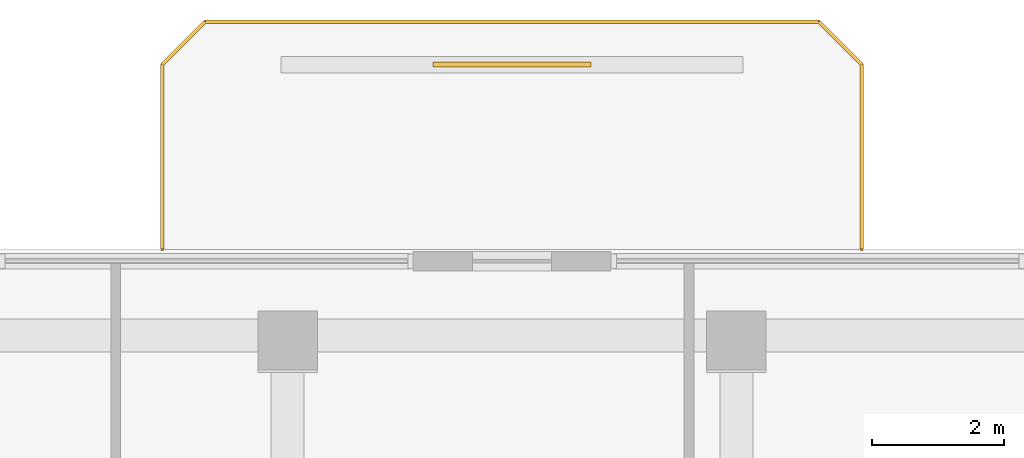
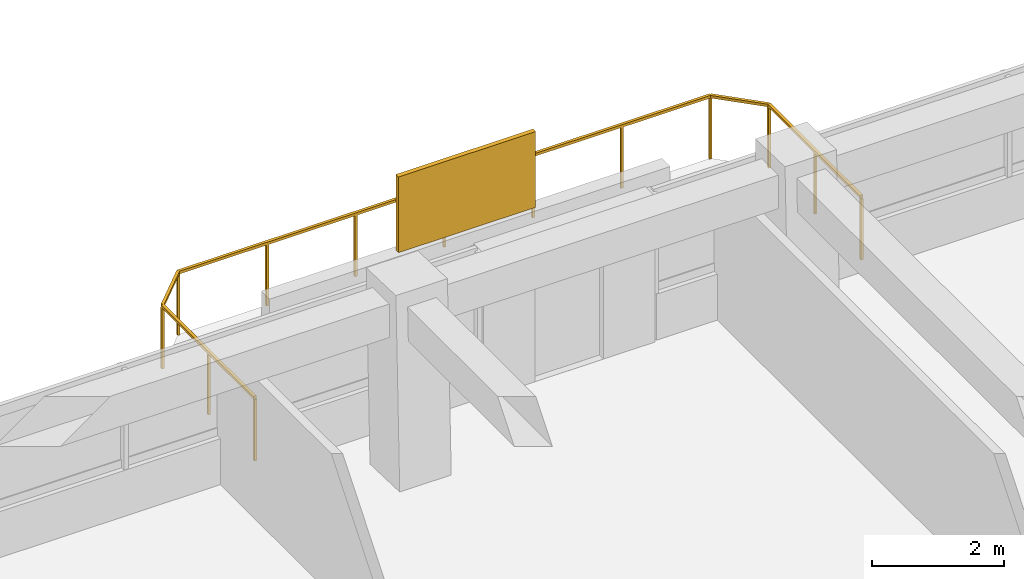
# One storey, part 14 of 14: 1 railing, 1 shading device.
"""IFC4 building model written with IfcOpenShell, lengths in metres."""

from ifc_helpers import new_model, si_unit, derived_unit, direction, frame, origin, origin_2d, place, context, subcontext, project, spatial, rectangle, extrude, material, layer, layer_set, type_object, element, save


model = new_model("IFC4")

# Units and contexts
model_context = context("Model", 3, precision=1e-05, world=origin(), true_north=direction((0.0, 1.0)))
body_context = subcontext(model_context, "Body", "Model", "MODEL_VIEW")
ifc_project = project(units=[si_unit("LENGTHUNIT", "METRE"), si_unit("AREAUNIT", "SQUARE_METRE"), si_unit("VOLUMEUNIT", "CUBIC_METRE"), si_unit("PLANEANGLEUNIT", "RADIAN"), si_unit("MASSUNIT", "GRAM", prefix="KILO"), derived_unit("THERMALTRANSMITTANCEUNIT", [(si_unit("POWERUNIT", "WATT"), 1), (si_unit("LENGTHUNIT", "METRE"), -2), (si_unit("THERMODYNAMICTEMPERATUREUNIT", "KELVIN"), -1)])], contexts=[model_context])

# Site, building, storey
site_placement = place(None, origin())
site = spatial("IfcSite", under=ifc_project, at=site_placement, CompositionType="ELEMENT")
building_placement = place(site_placement, origin())
building = spatial("IfcBuilding", under=site, at=building_placement, Name="Koralith Skygarden Medical Center", CompositionType="ELEMENT")
storey_placement = place(building_placement, frame((0.0, 0.0, 210.780029296875)))
storey = spatial("IfcBuildingStorey", under=building, at=storey_placement, Name="L54", CompositionType="ELEMENT", Elevation=210.780029296875)

# Railing
ifc_material_1 = material(Name="Steel ASTM A500 Grade C", Category="steel")
railing_type = type_object("IfcRailingType", Name="Outdoor Terrace & Balcony Safety Guardrail 1180", PredefinedType="GUARDRAIL", material=ifc_material_1)
railing_placement = place(storey_placement, frame((42.300048828125, 48.35302734375, 0.0)))
element("IfcRailing", 1, at=railing_placement, inside=storey, type_object=railing_type, Name="L54 N Balcony Perimeter Guardrail", PredefinedType="GUARDRAIL", context=body_context, shape_type="SweptSolid", body=[
    extrude(rectangle(XDim=0.050048828125, YDim=0.050048828125, at=origin_2d()), frame((0.0, 0.001953125, 1.15478515625), z_axis=(0.0, 1.0, 0.0), x_axis=(-1.0, 0.0, 0.0)), (0.0, 0.0, 1.0), 2.796142578125),
    extrude(rectangle(XDim=0.050048828125, YDim=0.050048828125, at=origin_2d()), frame((-0.00146484375, 2.801513671875, 1.15478515625), z_axis=(-0.707239558722, 0.706973978714, 0.0), x_axis=(-0.706973978714, -0.707239558722, 0.0)), (0.0, 0.0, 1.0), 0.915283203125),
    extrude(rectangle(XDim=0.050048828125, YDim=0.050048828125, at=origin_2d()), frame((-0.652099609375, 3.449951171875, 1.15478515625), z_axis=(-1.0, 0.0, 0.0), x_axis=(0.0, -1.0, 0.0)), (0.0, 0.0, 1.0), 9.2958984375),
    extrude(rectangle(XDim=0.050048828125, YDim=0.050048828125, at=origin_2d()), frame((-9.951416015625, 3.448486328125, 1.15478515625), z_axis=(-0.707239558722, -0.706973978714, 0.0), x_axis=(0.706973978714, -0.707239558722, 0.0)), (0.0, 0.0, 1.0), 0.915283203125),
    extrude(rectangle(XDim=0.050048828125, YDim=0.050048828125, at=origin_2d()), frame((-10.60009765625, 2.798095703125, 1.15478515625), z_axis=(0.0, -1.0, 0.0), x_axis=(1.0, 0.0, 0.0)), (0.0, 0.0, 1.0), 2.796142578125),
    extrude(rectangle(XDim=0.0419921875, YDim=0.0419921875, at=origin_2d()), origin(), (0.0, 0.0, 1.0), 1.1279296875),
    extrude(rectangle(XDim=0.0419921875, YDim=0.0419921875, at=origin_2d()), frame((0.0, 1.39990234375, 0.0)), (0.0, 0.0, 1.0), 1.1279296875),
    extrude(rectangle(XDim=0.0419921875, YDim=0.0419921875, at=origin_2d()), frame((0.0, 2.800048828125, 0.0)), (0.0, 0.0, 1.0), 1.1279296875),
    extrude(rectangle(XDim=0.0419921875, YDim=0.0419921875, at=origin_2d()), frame((-0.650146484375, 3.449951171875, 0.0)), (0.0, 0.0, 1.0), 1.1279296875),
    extrude(rectangle(XDim=0.0419921875, YDim=0.0419921875, at=origin_2d()), frame((-2.2001953125, 3.449951171875, 0.0)), (0.0, 0.0, 1.0), 1.1279296875),
    extrude(rectangle(XDim=0.0419921875, YDim=0.0419921875, at=origin_2d()), frame((-3.75, 3.449951171875, 0.0)), (0.0, 0.0, 1.0), 1.1279296875),
    extrude(rectangle(XDim=0.0419921875, YDim=0.0419921875, at=origin_2d()), frame((-5.300048828125, 3.449951171875, 0.0)), (0.0, 0.0, 1.0), 1.1279296875),
    extrude(rectangle(XDim=0.0419921875, YDim=0.0419921875, at=origin_2d()), frame((-6.85009765625, 3.449951171875, 0.0)), (0.0, 0.0, 1.0), 1.1279296875),
    extrude(rectangle(XDim=0.0419921875, YDim=0.0419921875, at=origin_2d()), frame((-8.39990234375, 3.449951171875, 0.0)), (0.0, 0.0, 1.0), 1.1279296875),
    extrude(rectangle(XDim=0.0419921875, YDim=0.0419921875, at=origin_2d()), frame((-9.949951171875, 3.449951171875, 0.0)), (0.0, 0.0, 1.0), 1.1279296875),
    extrude(rectangle(XDim=0.0419921875, YDim=0.0419921875, at=origin_2d()), frame((-10.60009765625, 2.800048828125, 0.0)), (0.0, 0.0, 1.0), 1.1279296875),
    extrude(rectangle(XDim=0.0419921875, YDim=0.0419921875, at=origin_2d()), frame((-10.60009765625, 1.39990234375, 0.0)), (0.0, 0.0, 1.0), 1.1279296875),
    extrude(rectangle(XDim=0.0419921875, YDim=0.0419921875, at=origin_2d()), frame((-10.60009765625, 0.0, 0.0)), (0.0, 0.0, 1.0), 1.1279296875),
])

# Shading device
ifc_material_2 = material(Name="Aluminium 6063-T6", Category="aluminium")
ifc_layer = layer(ifc_material_2, 0.080078125)
ifc_layer_set = layer_set([ifc_layer], Name="Aluminium 6063-T6")
shading_device_type = type_object("IfcShadingDeviceType", Name="Perforated Biophilic Balcony Trellis Screen", PredefinedType="USERDEFINED", material=ifc_layer_set)
shading_device_placement = place(storey_placement, frame((37.0, 51.153076171875, 0.719970703125), z_axis=(0.0, 0.0, 1.0), x_axis=(1.0, 0.0, 0.0)))
element("IfcShadingDevice", 2, at=shading_device_placement, inside=storey, type_object=shading_device_type, Name="L54 N Biophilic Balcony Trellis Screen", ObjectType="HURRICANE SCREEN", PredefinedType="USERDEFINED", context=body_context, shape_type="SweptSolid", body=[
    extrude(rectangle(XDim=2.39990234375, YDim=0.080078125, at=origin_2d()), origin(), (0.0, 0.0, 1.0), 1.39990234375),
])

save(model, "model.ifc")
